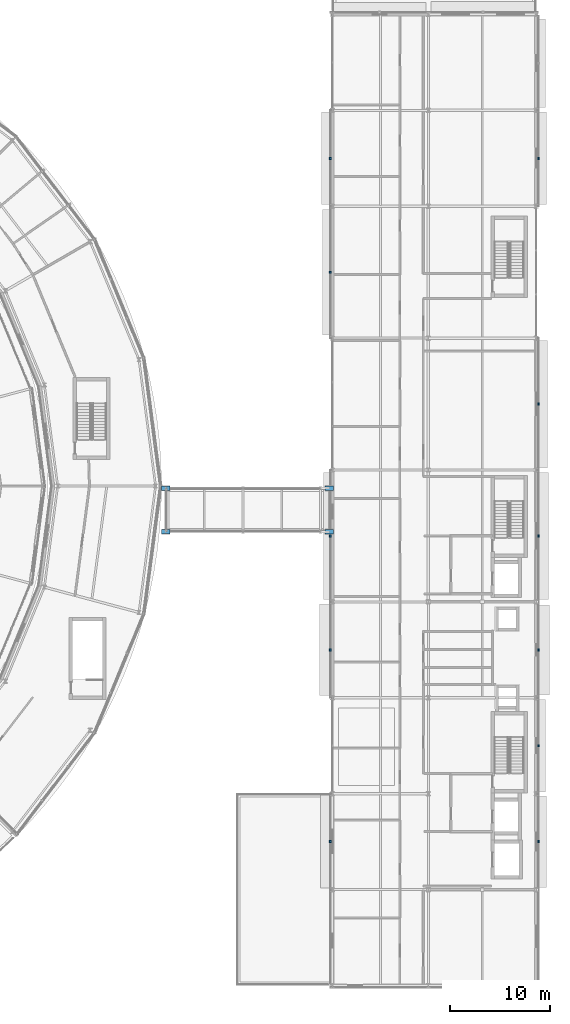
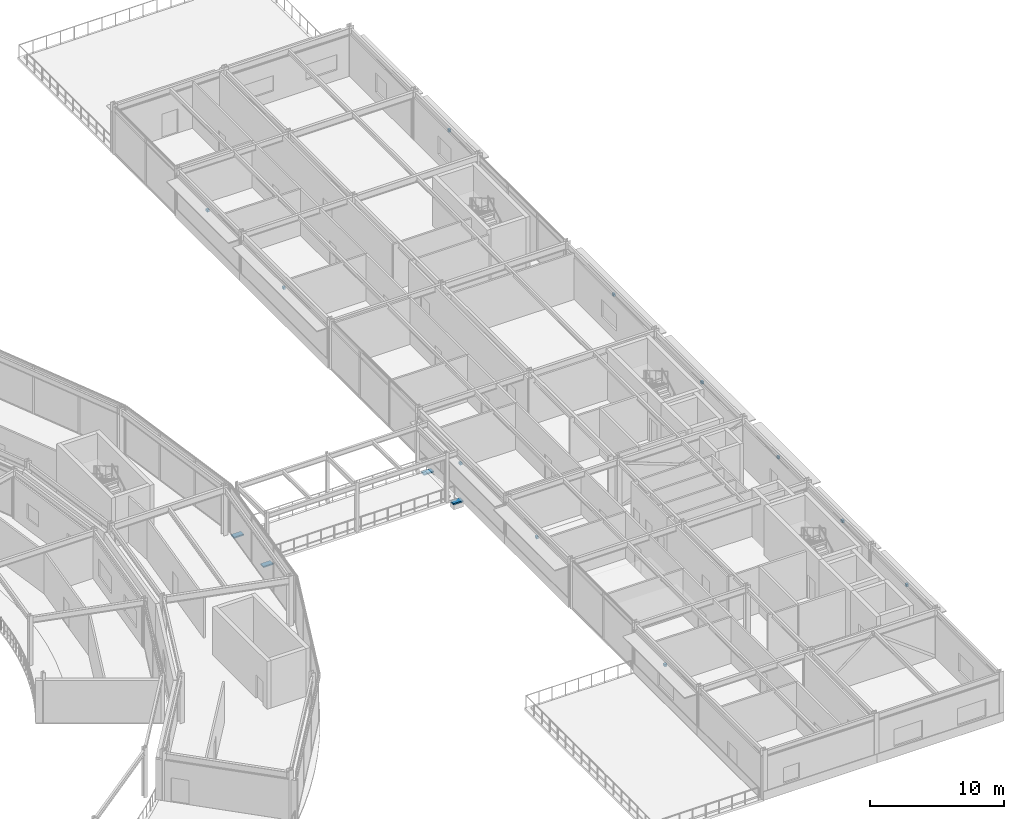
# One storey, part 133 of 157: 15 discrete accessories.
"""IFC4 building model written with IfcOpenShell, lengths in metres."""

import ifcopenshell
import ifcopenshell.guid

model = None  # the IFC model being written
_history = None  # IfcOwnerHistory: only IFC2X3 demands one
_inside = {}  # id of a spatial element -> (the spatial element, [elements in it])
_under = {}  # id of a project, library or spatial element -> (it, [spatial elements below it])
_declared = {}  # id of a project -> (the project, [libraries it declares])
_typed = {}  # id of a type object -> (the type object, [elements of that type])
_made_of = {}  # id of a material, layer set ... -> (it, [elements and type objects made of it])


def new_model(schema):
    """Start an empty IFC model of exactly this schema.

    Asked for "IFC4X3", IfcOpenShell would pick the latest addendum, in which some entities
    have other attributes; the version numbers below select the first issue.
    IFC2X3 requires an IfcOwnerHistory on every rooted entity: one is made here for all.
    """
    global model, _history
    if schema == "IFC4X3":
        model = ifcopenshell.file(schema_version=(4, 3, 0, 0))
    else:
        model = ifcopenshell.file(schema=schema)
    _inside.clear()
    _under.clear()
    _declared.clear()
    _typed.clear()
    _made_of.clear()
    _history = None
    if model.schema == "IFC2X3":
        org = make("IfcOrganization", Name="unknown")
        user = make(
            "IfcPersonAndOrganization",
            ThePerson=make("IfcPerson", FamilyName="unknown"),
            TheOrganization=org,
        )
        app = make(
            "IfcApplication",
            ApplicationDeveloper=org,
            Version="unknown",
            ApplicationFullName="unknown",
            ApplicationIdentifier="unknown",
        )
        _history = make(
            "IfcOwnerHistory",
            OwningUser=user,
            OwningApplication=app,
            ChangeAction="ADDED",
            CreationDate=0,
        )
    return model


def make(cls, **values):
    """One entity of the class cls with the attributes given. An attribute that is None is left unset."""
    return model.create_entity(
        cls, **{name: value for name, value in values.items() if value is not None}
    )


def rooted(cls, **values):
    """An entity with a GlobalId (a new one), such as an element, a storey or a relation."""
    return make(cls, GlobalId=ifcopenshell.guid.new(), OwnerHistory=_history, **values)


def si_unit(unit_type, name, prefix=None):
    """IfcSIUnit, for example si_unit("LENGTHUNIT", "METRE", prefix="MILLI")."""
    return make("IfcSIUnit", UnitType=unit_type, Prefix=prefix, Name=name)


def assignment(units):
    """IfcUnitAssignment: the units of a project."""
    return None if units is None else make("IfcUnitAssignment", Units=units)


def point(xyz):
    """IfcCartesianPoint."""
    return None if xyz is None else make("IfcCartesianPoint", Coordinates=xyz)


def direction(xyz):
    """IfcDirection."""
    return None if xyz is None else make("IfcDirection", DirectionRatios=xyz)


def frame(location, z_axis=None, x_axis=None):
    """IfcAxis2Placement3D, a coordinate frame: its origin and axes. An axis left out is left unset."""
    return make(
        "IfcAxis2Placement3D",
        Location=point(location),
        Axis=direction(z_axis),
        RefDirection=direction(x_axis),
    )


def frame_2d(location, x_axis=None):
    """IfcAxis2Placement2D, a coordinate frame in the plane: its origin and x axis."""
    return make(
        "IfcAxis2Placement2D", Location=point(location), RefDirection=direction(x_axis)
    )


def origin():
    """The frame at (0, 0, 0) with its axes left unset."""
    return frame((0.0, 0.0, 0.0))


def origin_2d():
    """The frame at (0, 0) in the plane with its x axis left unset."""
    return frame_2d((0.0, 0.0))


def place(relative_to, where):
    """IfcLocalPlacement: puts the frame where relative to a parent placement (None: the world)."""
    return make(
        "IfcLocalPlacement", PlacementRelTo=relative_to, RelativePlacement=where
    )


def context(
    kind, dimensions, precision=None, world=None, true_north=None, identifier=None
):
    """IfcGeometricRepresentationContext, for example the 3D "Model" context."""
    return make(
        "IfcGeometricRepresentationContext",
        ContextIdentifier=identifier,
        ContextType=kind,
        CoordinateSpaceDimension=dimensions,
        Precision=precision,
        WorldCoordinateSystem=world,
        TrueNorth=true_north,
    )


def subcontext(parent, identifier, kind, view, scale=None):
    """IfcGeometricRepresentationSubContext, for example "Body" below "Model"."""
    return make(
        "IfcGeometricRepresentationSubContext",
        ContextIdentifier=identifier,
        ContextType=kind,
        ParentContext=parent,
        TargetScale=scale,
        TargetView=view,
    )


def project(units=None, contexts=None):
    """IfcProject with its units and contexts."""
    return rooted(
        "IfcProject",
        Name="project",
        RepresentationContexts=contexts,
        UnitsInContext=assignment(units),
    )


def spatial(cls, under=None, at=None, **own):
    """A site, building, storey or space (cls), placed at a placement, below another one or the project."""
    s = rooted(cls, ObjectPlacement=at, **own)
    if under is not None:
        _under.setdefault(under.id(), (under, []))[1].append(s)
    return s


def profile(cls, at=None, kind="AREA", **sizes):
    """A parametric profile (cls). Its sizes go by their IFC names, for example OverallWidth=200.0."""
    return make(cls, ProfileType=kind, Position=at, **sizes)


def rectangle(**sizes):
    """IfcRectangleProfileDef."""
    return profile("IfcRectangleProfileDef", **sizes)


def extrude(swept, where, along, depth):
    """IfcExtrudedAreaSolid: the profile swept, set in the frame where, extruded along a direction by depth."""
    return make(
        "IfcExtrudedAreaSolid",
        SweptArea=swept,
        Position=where,
        ExtrudedDirection=direction(along),
        Depth=depth,
    )


def shape(context_of_items, identifier, shape_type, items):
    """IfcShapeRepresentation: the items that make up one representation, for example the "Body"."""
    return make(
        "IfcShapeRepresentation",
        ContextOfItems=context_of_items,
        RepresentationIdentifier=identifier,
        RepresentationType=shape_type,
        Items=items,
    )


def material(Name=None, Category=None):
    """IfcMaterial."""
    return make("IfcMaterial", Name=Name, Category=Category)


def layer(
    of_material, thickness, ventilated=None, Name=None, Category=None, Priority=None
):
    """IfcMaterialLayer: one layer of a wall or slab, of a material (None: an air gap)."""
    return make(
        "IfcMaterialLayer",
        Material=of_material,
        LayerThickness=thickness,
        IsVentilated=ventilated,
        Name=Name,
        Category=Category,
        Priority=Priority,
    )


def layer_set(layers, Name=None):
    """IfcMaterialLayerSet."""
    return make("IfcMaterialLayerSet", MaterialLayers=layers, LayerSetName=Name)


def made_of(thing, what):
    """Note that an element or type object is made of a material, layer set ...; save() writes the relation."""
    if what is not None:
        _made_of.setdefault(what.id(), (what, []))[1].append(thing)
    return thing


def type_object(cls, material=None, **own):
    """A type object (cls), such as IfcWallType, which elements share."""
    return made_of(rooted(cls, **own), material)


def element(
    cls,
    number,
    at=None,
    inside=None,
    cuts=None,
    type_object=None,
    material=None,
    context=None,
    identifier="Body",
    shape_type=None,
    held_by="IfcProductDefinitionShape",
    body=None,
    shapes=None,
    **own,
):
    """One element of the class cls, such as IfcWall. Its Tag is "e" and its number.

    at: its placement. inside: the storey or other place that contains it. cuts: it is an
    opening in that element (IfcRelVoidsElement). A single representation is given by context,
    identifier, shape_type and body (its items); several are given by shapes. held_by: the class
    of the entity that holds the representations. save() writes the other relations.
    """
    e = rooted(cls, Tag="e%d" % number, ObjectPlacement=at, **own)
    if body is not None:
        shapes = [shape(context, identifier, shape_type, body)]
    if shapes is not None:
        e.Representation = make(held_by, Representations=shapes)
    if inside is not None:
        _inside.setdefault(inside.id(), (inside, []))[1].append(e)
    if cuts is not None:
        rooted(
            "IfcRelVoidsElement", RelatingBuildingElement=cuts, RelatedOpeningElement=e
        )
    if type_object is not None:
        _typed.setdefault(type_object.id(), (type_object, []))[1].append(e)
    return made_of(e, material)


def aggregate(whole, parts):
    """IfcRelAggregates: a whole, such as a stair, and the parts it consists of."""
    return rooted("IfcRelAggregates", RelatingObject=whole, RelatedObjects=parts)


def save(model, path):
    """Write the relations noted so far, then the file.

    IfcRelAggregates (storeys below a building ...), IfcRelContainedInSpatialStructure (elements
    in a storey), IfcRelDefinesByType, IfcRelAssociatesMaterial and IfcRelDeclares: one each for
    every whole, place, type object, material and project.
    """
    for whole, parts in _under.values():
        aggregate(whole, parts)
    for where, things in _inside.values():
        rooted(
            "IfcRelContainedInSpatialStructure",
            RelatedElements=things,
            RelatingStructure=where,
        )
    for kind, things in _typed.values():
        rooted("IfcRelDefinesByType", RelatedObjects=things, RelatingType=kind)
    for what, things in _made_of.values():
        rooted("IfcRelAssociatesMaterial", RelatedObjects=things, RelatingMaterial=what)
    for by, libraries in _declared.values():
        rooted("IfcRelDeclares", RelatingContext=by, RelatedDefinitions=libraries)
    model.write(path)


model = new_model("IFC4")

# Units and contexts
model_context = context("Model", 3, precision=1e-05, world=origin(), true_north=direction((0.0, 1.0)))
body_context = subcontext(model_context, "Body", "Model", "MODEL_VIEW")
ifc_project = project(units=[si_unit("LENGTHUNIT", "METRE"), si_unit("AREAUNIT", "SQUARE_METRE"), si_unit("VOLUMEUNIT", "CUBIC_METRE"), si_unit("PLANEANGLEUNIT", "RADIAN"), si_unit("MASSUNIT", "GRAM", prefix="KILO")], contexts=[model_context])

# Site, building, storey
site_placement = place(None, origin())
site = spatial("IfcSite", under=ifc_project, at=site_placement, CompositionType="ELEMENT")
building_placement = place(site_placement, origin())
building = spatial("IfcBuilding", under=site, at=building_placement, Name="Almandine Court Research Institute", CompositionType="ELEMENT")
storey_placement = place(building_placement, frame((0.0, 0.0, 5.25)))
storey = spatial("IfcBuildingStorey", under=building, at=storey_placement, Name="L01", CompositionType="ELEMENT", Elevation=5.25)

# Discrete accessories
ifc_material_1 = material(Name="Galvanised Steel Facade Outrigger Bracket", Category="steel")
ifc_layer_1 = layer(ifc_material_1, 0.219970703125)
ifc_layer_set_1 = layer_set([ifc_layer_1], Name="Galvanised Steel Facade Outrigger Bracket")
discrete_accessory_type_1 = type_object("IfcDiscreteAccessoryType", Name="Acc-CHJ-BRACKET", PredefinedType="BRACKET", material=ifc_layer_set_1)
for number, where, z_axis, x_axis, name in (
    (1, (153.3701171875, 20.39990234375, 3.462890625), (0.0, 0.0, 1.0), (0.0, 1.0, 0.0), "L01 Chhajja Outrigger Bracket 76"),
    (2, (153.3701171875, 39.60009765625, 3.462890625), (0.0, 0.0, 1.0), (0.0, 1.0, 0.0), "L01 Chhajja Outrigger Bracket 77"),
    (3, (153.3701171875, 51.0, 3.2900390625), (0.0, 0.0, 1.0), (0.0, 1.0, 0.0), "L01 Chhajja Outrigger Bracket 78"),
    (4, (153.3701171875, 77.39990234375, 3.31201171875), (0.0, 0.0, 1.0), (0.0, 1.0, 0.0), "L01 Chhajja Outrigger Bracket 79"),
    (5, (153.3701171875, 88.800048828125, 3.462890625), (0.0, 0.0, 1.0), (0.0, 1.0, 0.0), "L01 Chhajja Outrigger Bracket 80"),
    (6, (174.22998046875, 88.800048828125, 3.4541015625), (0.0, 0.0, 1.0), (0.0, -1.0, 0.0), "L01 Chhajja Outrigger Bracket 84"),
    (7, (174.22998046875, 64.199951171875, 3.38525390625), (0.0, 0.0, 1.0), (0.0, -1.0, 0.0), "L01 Chhajja Outrigger Bracket 85"),
    (8, (174.22998046875, 51.0, 3.38525390625), (0.0, 0.0, 1.0), (0.0, -1.0, 0.0), "L01 Chhajja Outrigger Bracket 86"),
    (9, (174.22998046875, 39.60009765625, 3.4541015625), (0.0, 0.0, 1.0), (0.0, -1.0, 0.0), "L01 Chhajja Outrigger Bracket 87"),
    (10, (174.22998046875, 30.0, 3.4541015625), (0.0, 0.0, 1.0), (0.0, -1.0, 0.0), "L01 Chhajja Outrigger Bracket 88"),
    (11, (174.22998046875, 20.39990234375, 3.4541015625), (0.0, 0.0, 1.0), (0.0, -1.0, 0.0), "L01 Chhajja Outrigger Bracket 89"),
):
    element("IfcDiscreteAccessory", number, at=place(storey_placement, frame(where, z_axis=z_axis, x_axis=x_axis)), inside=storey, type_object=discrete_accessory_type_1, Name=name, PredefinedType="BRACKET", context=body_context, shape_type="SweptSolid", body=[
        extrude(rectangle(XDim=0.239990234375, YDim=0.179931640625, at=origin_2d()), origin(), (0.0, 0.0, 1.0), 0.219970703125),
    ])
ifc_material_2 = material(Name="Elastomeric PTFE Sliding Bearing Assembly")
ifc_layer_2 = layer(ifc_material_2, 0.1201171875)
ifc_layer_set_2 = layer_set([ifc_layer_2], Name="Elastomeric PTFE Sliding Bearing Assembly")
discrete_accessory_type_2 = type_object("IfcDiscreteAccessoryType", Name="Acc-PTFE-Bearing", PredefinedType="BRACKET", material=ifc_layer_set_2)
for number, where, z_axis, x_axis, name in (
    (12, (136.89990234375, 51.39990234375, -0.35009765625), (0.0, 0.0, 1.0), (1.0, 0.0, 0.0), "Unguided PTFE Multi-Directional Sliding Bearing DAL-E-1-1"),
    (13, (136.89990234375, 55.800048828125, -0.35009765625), (0.0, 0.0, 1.0), (1.0, 0.0, 0.0), "Unguided PTFE Multi-Directional Sliding Bearing DAL-E-1-2"),
    (14, (153.300048828125, 51.39990234375, -0.35009765625), (0.0, 0.0, 1.0), (1.0, 0.0, 0.0), "Unguided PTFE Multi-Directional Sliding Bearing DAL-E-2-1"),
    (15, (153.300048828125, 55.800048828125, -0.35009765625), (0.0, 0.0, 1.0), (1.0, 0.0, 0.0), "Unguided PTFE Multi-Directional Sliding Bearing DAL-E-2-2"),
):
    element("IfcDiscreteAccessory", number, at=place(storey_placement, frame(where, z_axis=z_axis, x_axis=x_axis)), inside=storey, type_object=discrete_accessory_type_2, Name=name, PredefinedType="BRACKET", context=body_context, shape_type="SweptSolid", body=[
        extrude(rectangle(XDim=0.85009765625, YDim=0.449951171875, at=origin_2d()), origin(), (0.0, 0.0, 1.0), 0.1201171875),
    ])

save(model, "model.ifc")
